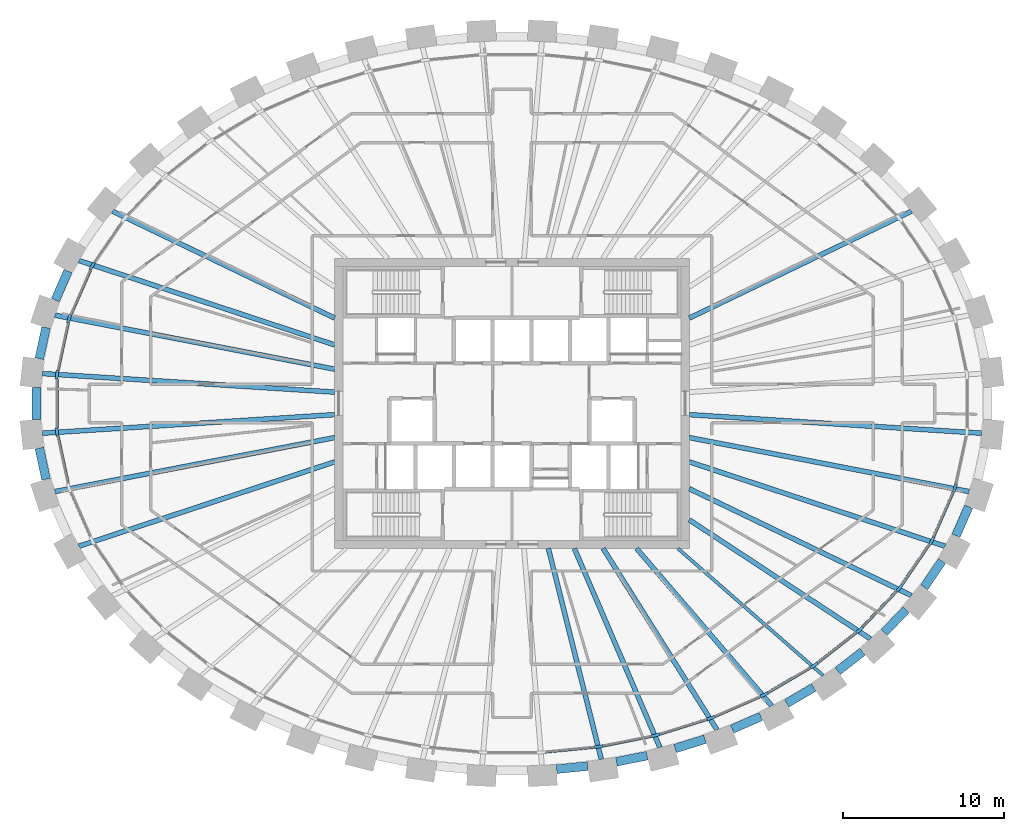
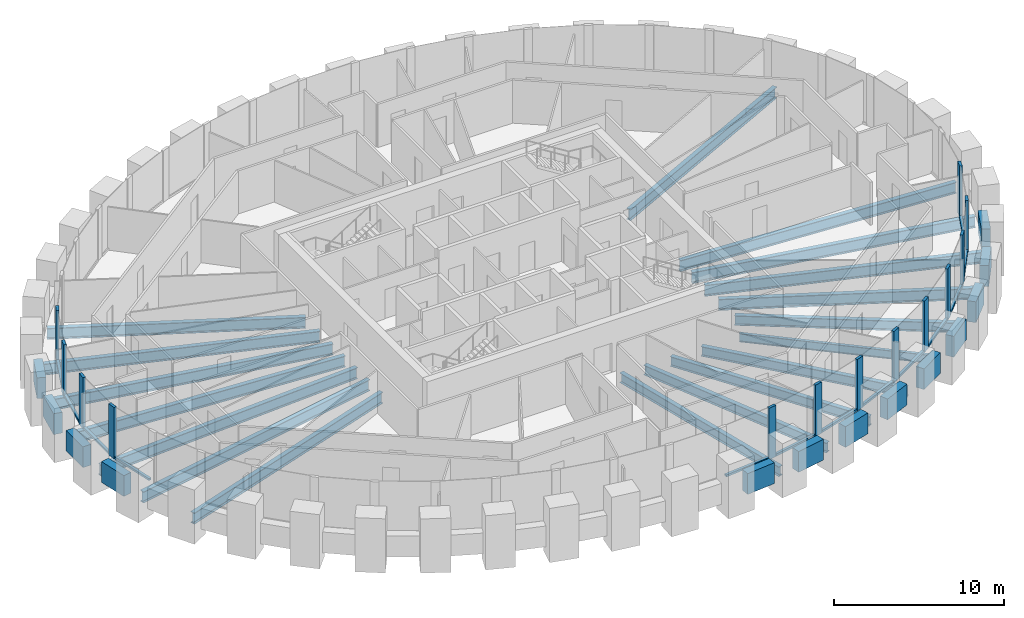
# One storey, part 2 of 12: 31 beams, 26 members, 1 element without a shape of its own.
"""IFC4 building model written with IfcOpenShell, lengths in metres."""

import ifcopenshell
import ifcopenshell.guid

model = None  # the IFC model being written
_history = None  # IfcOwnerHistory: only IFC2X3 demands one
_inside = {}  # id of a spatial element -> (the spatial element, [elements in it])
_under = {}  # id of a project, library or spatial element -> (it, [spatial elements below it])
_declared = {}  # id of a project -> (the project, [libraries it declares])
_typed = {}  # id of a type object -> (the type object, [elements of that type])
_made_of = {}  # id of a material, layer set ... -> (it, [elements and type objects made of it])


def new_model(schema):
    """Start an empty IFC model of exactly this schema.

    Asked for "IFC4X3", IfcOpenShell would pick the latest addendum, in which some entities
    have other attributes; the version numbers below select the first issue.
    IFC2X3 requires an IfcOwnerHistory on every rooted entity: one is made here for all.
    """
    global model, _history
    if schema == "IFC4X3":
        model = ifcopenshell.file(schema_version=(4, 3, 0, 0))
    else:
        model = ifcopenshell.file(schema=schema)
    _inside.clear()
    _under.clear()
    _declared.clear()
    _typed.clear()
    _made_of.clear()
    _history = None
    if model.schema == "IFC2X3":
        org = make("IfcOrganization", Name="unknown")
        user = make(
            "IfcPersonAndOrganization",
            ThePerson=make("IfcPerson", FamilyName="unknown"),
            TheOrganization=org,
        )
        app = make(
            "IfcApplication",
            ApplicationDeveloper=org,
            Version="unknown",
            ApplicationFullName="unknown",
            ApplicationIdentifier="unknown",
        )
        _history = make(
            "IfcOwnerHistory",
            OwningUser=user,
            OwningApplication=app,
            ChangeAction="ADDED",
            CreationDate=0,
        )
    return model


def make(cls, **values):
    """One entity of the class cls with the attributes given. An attribute that is None is left unset."""
    return model.create_entity(
        cls, **{name: value for name, value in values.items() if value is not None}
    )


def rooted(cls, **values):
    """An entity with a GlobalId (a new one), such as an element, a storey or a relation."""
    return make(cls, GlobalId=ifcopenshell.guid.new(), OwnerHistory=_history, **values)


def si_unit(unit_type, name, prefix=None):
    """IfcSIUnit, for example si_unit("LENGTHUNIT", "METRE", prefix="MILLI")."""
    return make("IfcSIUnit", UnitType=unit_type, Prefix=prefix, Name=name)


def assignment(units):
    """IfcUnitAssignment: the units of a project."""
    return None if units is None else make("IfcUnitAssignment", Units=units)


def point(xyz):
    """IfcCartesianPoint."""
    return None if xyz is None else make("IfcCartesianPoint", Coordinates=xyz)


def direction(xyz):
    """IfcDirection."""
    return None if xyz is None else make("IfcDirection", DirectionRatios=xyz)


def frame(location, z_axis=None, x_axis=None):
    """IfcAxis2Placement3D, a coordinate frame: its origin and axes. An axis left out is left unset."""
    return make(
        "IfcAxis2Placement3D",
        Location=point(location),
        Axis=direction(z_axis),
        RefDirection=direction(x_axis),
    )


def frame_2d(location, x_axis=None):
    """IfcAxis2Placement2D, a coordinate frame in the plane: its origin and x axis."""
    return make(
        "IfcAxis2Placement2D", Location=point(location), RefDirection=direction(x_axis)
    )


def origin():
    """The frame at (0, 0, 0) with its axes left unset."""
    return frame((0.0, 0.0, 0.0))


def origin_2d():
    """The frame at (0, 0) in the plane with its x axis left unset."""
    return frame_2d((0.0, 0.0))


def place(relative_to, where):
    """IfcLocalPlacement: puts the frame where relative to a parent placement (None: the world)."""
    return make(
        "IfcLocalPlacement", PlacementRelTo=relative_to, RelativePlacement=where
    )


def context(
    kind, dimensions, precision=None, world=None, true_north=None, identifier=None
):
    """IfcGeometricRepresentationContext, for example the 3D "Model" context."""
    return make(
        "IfcGeometricRepresentationContext",
        ContextIdentifier=identifier,
        ContextType=kind,
        CoordinateSpaceDimension=dimensions,
        Precision=precision,
        WorldCoordinateSystem=world,
        TrueNorth=true_north,
    )


def subcontext(parent, identifier, kind, view, scale=None):
    """IfcGeometricRepresentationSubContext, for example "Body" below "Model"."""
    return make(
        "IfcGeometricRepresentationSubContext",
        ContextIdentifier=identifier,
        ContextType=kind,
        ParentContext=parent,
        TargetScale=scale,
        TargetView=view,
    )


def project(units=None, contexts=None):
    """IfcProject with its units and contexts."""
    return rooted(
        "IfcProject",
        Name="project",
        RepresentationContexts=contexts,
        UnitsInContext=assignment(units),
    )


def spatial(cls, under=None, at=None, **own):
    """A site, building, storey or space (cls), placed at a placement, below another one or the project."""
    s = rooted(cls, ObjectPlacement=at, **own)
    if under is not None:
        _under.setdefault(under.id(), (under, []))[1].append(s)
    return s


def profile(cls, at=None, kind="AREA", **sizes):
    """A parametric profile (cls). Its sizes go by their IFC names, for example OverallWidth=200.0."""
    return make(cls, ProfileType=kind, Position=at, **sizes)


def rectangle(**sizes):
    """IfcRectangleProfileDef."""
    return profile("IfcRectangleProfileDef", **sizes)


def i_section(**sizes):
    """IfcIShapeProfileDef."""
    return profile("IfcIShapeProfileDef", **sizes)


def extrude(swept, where, along, depth):
    """IfcExtrudedAreaSolid: the profile swept, set in the frame where, extruded along a direction by depth."""
    return make(
        "IfcExtrudedAreaSolid",
        SweptArea=swept,
        Position=where,
        ExtrudedDirection=direction(along),
        Depth=depth,
    )


def shape(context_of_items, identifier, shape_type, items):
    """IfcShapeRepresentation: the items that make up one representation, for example the "Body"."""
    return make(
        "IfcShapeRepresentation",
        ContextOfItems=context_of_items,
        RepresentationIdentifier=identifier,
        RepresentationType=shape_type,
        Items=items,
    )


def source(mapping_origin, context_of_items, identifier, shape_type, items):
    """IfcRepresentationMap: a shape defined once, which mapped items show again and again."""
    return make(
        "IfcRepresentationMap",
        MappingOrigin=mapping_origin,
        MappedRepresentation=shape(context_of_items, identifier, shape_type, items),
    )


def transform(
    local_origin,
    x_axis=None,
    y_axis=None,
    z_axis=None,
    scale=None,
    scale2=None,
    scale3=None,
    uniform=True,
):
    """IfcCartesianTransformationOperator3D, or its non-uniform kind. x_axis, y_axis, z_axis: its Axis1, 2, 3."""
    if uniform:
        return make(
            "IfcCartesianTransformationOperator3D",
            Axis1=direction(x_axis),
            Axis2=direction(y_axis),
            LocalOrigin=point(local_origin),
            Scale=scale,
            Axis3=direction(z_axis),
        )
    return make(
        "IfcCartesianTransformationOperator3DnonUniform",
        Axis1=direction(x_axis),
        Axis2=direction(y_axis),
        LocalOrigin=point(local_origin),
        Scale=scale,
        Axis3=direction(z_axis),
        Scale2=scale2,
        Scale3=scale3,
    )


def mapped(mapping_source, mapping_target):
    """IfcMappedItem: shows the shape of a source again, moved by a transform."""
    return make(
        "IfcMappedItem", MappingSource=mapping_source, MappingTarget=mapping_target
    )


def material(Name=None, Category=None):
    """IfcMaterial."""
    return make("IfcMaterial", Name=Name, Category=Category)


def material_profile(
    of_material, cross_section, Name=None, Category=None, Priority=None
):
    """IfcMaterialProfile: a cross section and its material."""
    return make(
        "IfcMaterialProfile",
        Name=Name,
        Material=of_material,
        Profile=cross_section,
        Priority=Priority,
        Category=Category,
    )


def profile_set(profiles, Name=None, composite=None):
    """IfcMaterialProfileSet."""
    return make(
        "IfcMaterialProfileSet",
        Name=Name,
        MaterialProfiles=profiles,
        CompositeProfile=composite,
    )


def made_of(thing, what):
    """Note that an element or type object is made of a material, layer set ...; save() writes the relation."""
    if what is not None:
        _made_of.setdefault(what.id(), (what, []))[1].append(thing)
    return thing


def type_object(cls, material=None, **own):
    """A type object (cls), such as IfcWallType, which elements share."""
    return made_of(rooted(cls, **own), material)


def element(
    cls,
    number,
    at=None,
    inside=None,
    cuts=None,
    type_object=None,
    material=None,
    context=None,
    identifier="Body",
    shape_type=None,
    held_by="IfcProductDefinitionShape",
    body=None,
    shapes=None,
    **own,
):
    """One element of the class cls, such as IfcWall. Its Tag is "e" and its number.

    at: its placement. inside: the storey or other place that contains it. cuts: it is an
    opening in that element (IfcRelVoidsElement). A single representation is given by context,
    identifier, shape_type and body (its items); several are given by shapes. held_by: the class
    of the entity that holds the representations. save() writes the other relations.
    """
    e = rooted(cls, Tag="e%d" % number, ObjectPlacement=at, **own)
    if body is not None:
        shapes = [shape(context, identifier, shape_type, body)]
    if shapes is not None:
        e.Representation = make(held_by, Representations=shapes)
    if inside is not None:
        _inside.setdefault(inside.id(), (inside, []))[1].append(e)
    if cuts is not None:
        rooted(
            "IfcRelVoidsElement", RelatingBuildingElement=cuts, RelatedOpeningElement=e
        )
    if type_object is not None:
        _typed.setdefault(type_object.id(), (type_object, []))[1].append(e)
    return made_of(e, material)


def aggregate(whole, parts):
    """IfcRelAggregates: a whole, such as a stair, and the parts it consists of."""
    return rooted("IfcRelAggregates", RelatingObject=whole, RelatedObjects=parts)


def save(model, path):
    """Write the relations noted so far, then the file.

    IfcRelAggregates (storeys below a building ...), IfcRelContainedInSpatialStructure (elements
    in a storey), IfcRelDefinesByType, IfcRelAssociatesMaterial and IfcRelDeclares: one each for
    every whole, place, type object, material and project.
    """
    for whole, parts in _under.values():
        aggregate(whole, parts)
    for where, things in _inside.values():
        rooted(
            "IfcRelContainedInSpatialStructure",
            RelatedElements=things,
            RelatingStructure=where,
        )
    for kind, things in _typed.values():
        rooted("IfcRelDefinesByType", RelatedObjects=things, RelatingType=kind)
    for what, things in _made_of.values():
        rooted("IfcRelAssociatesMaterial", RelatedObjects=things, RelatingMaterial=what)
    for by, libraries in _declared.values():
        rooted("IfcRelDeclares", RelatingContext=by, RelatedDefinitions=libraries)
    model.write(path)


model = new_model("IFC4")

# Units and contexts
model_context = context("Model", 3, precision=1e-05, world=origin(), true_north=direction((0.0, 1.0)))
body_context = subcontext(model_context, "Body", "Model", "MODEL_VIEW")
ifc_project = project(units=[si_unit("LENGTHUNIT", "METRE"), si_unit("AREAUNIT", "SQUARE_METRE"), si_unit("VOLUMEUNIT", "CUBIC_METRE"), si_unit("PLANEANGLEUNIT", "RADIAN"), si_unit("MASSUNIT", "GRAM", prefix="KILO")], contexts=[model_context])

# Site, building, storey
site_placement = place(None, origin())
site = spatial("IfcSite", under=ifc_project, at=site_placement, CompositionType="ELEMENT")
building_placement = place(site_placement, origin())
building = spatial("IfcBuilding", under=site, at=building_placement, Name="Embergate Tower", CompositionType="ELEMENT")
storey_placement = place(building_placement, frame((0.0, 0.0, 320.800048828125)))
storey = spatial("IfcBuildingStorey", under=building, at=storey_placement, Name="L75", CompositionType="ELEMENT", Elevation=320.800048828125)

# Beams
ifc_material_1 = material(Name="Concrete C50", Category="concrete")
ifc_material_profile_1 = material_profile(ifc_material_1, rectangle(XDim=0.550048828125, YDim=1.5, at=origin_2d()), Name="RC 550x1500")
ifc_profile_set_1 = profile_set([ifc_material_profile_1], Name="Concrete C50")
beam_type_1 = type_object("IfcBeamType", Name="Spandrel beam RC 550x1500 C50", PredefinedType="BEAM", material=ifc_profile_set_1)
shared_shape_1 = source(origin(), body_context, "Body", "SweptSolid", [
    extrude(rectangle(XDim=0.550048828125, YDim=1.5, at=origin_2d()), origin(), (0.0, 0.0, 1.0), 1.970947265625),
])
for number, where, z_axis, x_axis, name in (
    (1, (-28.908935546875, 4.702880859375, 0.0), (-0.210078905476, -0.977684434505, 0.0), (0.977684434505, -0.210078905476, 0.0), "SPN-L75-20"),
    (2, (-29.322998046875, -2.77587890625, 0.0), (0.210078905476, -0.977684434505, 0.0), (0.977684434505, 0.210078905476, 0.0), "SPN-L75-22"),
):
    element("IfcBeam", number, at=place(storey_placement, frame(where, z_axis=z_axis, x_axis=x_axis)), inside=storey, type_object=beam_type_1, Name=name, PredefinedType="BEAM", context=body_context, shape_type="MappedRepresentation", body=[
        mapped(shared_shape_1, transform((0.0, 0.0, 0.0))),
    ])
shared_shape_2 = source(origin(), body_context, "Body", "SweptSolid", [
    extrude(rectangle(XDim=0.550048828125, YDim=1.5, at=origin_2d()), origin(), (0.0, 0.0, 1.0), 1.96435546875),
])
for number, where, z_axis, x_axis, name in (
    (3, (-27.547119140625, 8.2080078125, 0.0), (-0.401555432353, -0.915834720213, 0.0), (0.915834720213, -0.401555432353, 0.0), "SPN-L75-19"),
    (4, (27.547119140625, -8.2080078125, 0.0), (0.401555432353, 0.915834720213, 0.0), (-0.915834720213, 0.401555432353, 0.0), "SPN-L75-41"),
):
    element("IfcBeam", number, at=place(storey_placement, frame(where, z_axis=z_axis, x_axis=x_axis)), inside=storey, type_object=beam_type_1, Name=name, PredefinedType="BEAM", context=body_context, shape_type="MappedRepresentation", body=[
        mapped(shared_shape_2, transform((0.0, 0.0, 0.0))),
    ])
shared_shape_3 = source(origin(), body_context, "Body", "SweptSolid", [
    extrude(rectangle(XDim=0.550048828125, YDim=1.5, at=origin_2d()), origin(), (0.0, 0.0, 1.0), 1.960205078125),
])
beam_1_placement = place(storey_placement, frame((25.573974609375, -11.404052734375, 0.0), z_axis=(0.562207817231, 0.826995991674, 0.0), x_axis=(-0.826995991674, 0.562207817231, 0.0)))
element("IfcBeam", 5, at=beam_1_placement, inside=storey, type_object=beam_type_1, Name="SPN-L75-40", PredefinedType="BEAM", context=body_context, shape_type="MappedRepresentation", body=[
    mapped(shared_shape_3, transform((0.0, 0.0, 0.0))),
])
shared_shape_4 = source(origin(), body_context, "Body", "SweptSolid", [
    extrude(rectangle(XDim=0.550048828125, YDim=1.5, at=origin_2d()), origin(), (0.0, 0.0, 1.0), 1.955078125),
])
beam_2_placement = place(storey_placement, frame((23.093017578125, -14.218017578125, 0.0), z_axis=(0.690558902138, 0.723276159346, 0.0), x_axis=(-0.723276159346, 0.690558902138, 0.0)))
element("IfcBeam", 6, at=beam_2_placement, inside=storey, type_object=beam_type_1, Name="SPN-L75-39", PredefinedType="BEAM", context=body_context, shape_type="MappedRepresentation", body=[
    mapped(shared_shape_4, transform((0.0, 0.0, 0.0))),
])
shared_shape_5 = source(origin(), body_context, "Body", "SweptSolid", [
    extrude(rectangle(XDim=0.550048828125, YDim=1.5, at=origin_2d()), origin(), (0.0, 0.0, 1.0), 1.94873046875),
])
beam_3_placement = place(storey_placement, frame((20.2099609375, -16.611083984375, 0.0), z_axis=(0.78830540841, 0.615284148236, 0.0), x_axis=(-0.615284148236, 0.78830540841, 0.0)))
element("IfcBeam", 7, at=beam_3_placement, inside=storey, type_object=beam_type_1, Name="SPN-L75-38", PredefinedType="BEAM", context=body_context, shape_type="MappedRepresentation", body=[
    mapped(shared_shape_5, transform((0.0, 0.0, 0.0))),
])
shared_shape_6 = source(origin(), body_context, "Body", "SweptSolid", [
    extrude(rectangle(XDim=0.550048828125, YDim=1.5, at=origin_2d()), origin(), (0.0, 0.0, 1.0), 1.944580078125),
])
beam_4_placement = place(storey_placement, frame((17.044921875, -18.60888671875, 0.0), z_axis=(0.861947125599, 0.506998178174, 0.0), x_axis=(-0.506998178174, 0.861947125599, 0.0)))
element("IfcBeam", 8, at=beam_4_placement, inside=storey, type_object=beam_type_1, Name="SPN-L75-37", PredefinedType="BEAM", context=body_context, shape_type="MappedRepresentation", body=[
    mapped(shared_shape_6, transform((0.0, 0.0, 0.0))),
])
shared_shape_7 = source(origin(), body_context, "Body", "SweptSolid", [
    extrude(rectangle(XDim=0.550048828125, YDim=1.5, at=origin_2d()), origin(), (0.0, 0.0, 1.0), 1.943603515625),
])
beam_5_placement = place(storey_placement, frame((13.660888671875, -20.205078125, 0.0), z_axis=(0.916367666651, 0.400337731818, 0.0), x_axis=(-0.400337731818, 0.916367666651, 0.0)))
element("IfcBeam", 9, at=beam_5_placement, inside=storey, type_object=beam_type_1, Name="SPN-L75-36", PredefinedType="BEAM", context=body_context, shape_type="MappedRepresentation", body=[
    mapped(shared_shape_7, transform((0.0, 0.0, 0.0))),
])
shared_shape_8 = source(origin(), body_context, "Body", "SweptSolid", [
    extrude(rectangle(XDim=0.550048828125, YDim=1.5, at=origin_2d()), origin(), (0.0, 0.0, 1.0), 1.940673828125),
])
beam_6_placement = place(storey_placement, frame((10.1220703125, -21.410888671875, 0.0), z_axis=(0.954797285525, 0.297257705625, 0.0), x_axis=(-0.297257705625, 0.954797285525, 0.0)))
element("IfcBeam", 10, at=beam_6_placement, inside=storey, type_object=beam_type_1, Name="SPN-L75-35", PredefinedType="BEAM", context=body_context, shape_type="MappedRepresentation", body=[
    mapped(shared_shape_8, transform((0.0, 0.0, 0.0))),
])
shared_shape_9 = source(origin(), body_context, "Body", "SweptSolid", [
    extrude(rectangle(XDim=0.550048828125, YDim=1.5, at=origin_2d()), origin(), (0.0, 0.0, 1.0), 1.93994140625),
])
beam_7_placement = place(storey_placement, frame((6.47607421875, -22.238037109375, 0.0), z_axis=(0.980410889527, 0.1969631633, 0.0), x_axis=(-0.1969631633, 0.980410889527, 0.0)))
element("IfcBeam", 11, at=beam_7_placement, inside=storey, type_object=beam_type_1, Name="SPN-L75-34", PredefinedType="BEAM", context=body_context, shape_type="MappedRepresentation", body=[
    mapped(shared_shape_9, transform((0.0, 0.0, 0.0))),
])
shared_shape_10 = source(origin(), body_context, "Body", "SweptSolid", [
    extrude(rectangle(XDim=0.550048828125, YDim=1.5, at=origin_2d()), origin(), (0.0, 0.0, 1.0), 1.938232421875),
])
beam_8_placement = place(storey_placement, frame((2.76708984375, -22.693115234375, 0.0), z_axis=(0.995174653714, 0.098119358973, 0.0), x_axis=(-0.098119358973, 0.995174653714, 0.0)))
element("IfcBeam", 12, at=beam_8_placement, inside=storey, type_object=beam_type_1, Name="SPN-L75-33", PredefinedType="BEAM", context=body_context, shape_type="MappedRepresentation", body=[
    mapped(shared_shape_10, transform((0.0, 0.0, 0.0))),
])
shared_shape_11 = source(origin(), body_context, "Body", "SweptSolid", [
    extrude(rectangle(XDim=0.550048828125, YDim=1.5, at=origin_2d()), origin(), (0.0, 0.0, 1.0), 1.97216796875),
])
beam_9_placement = place(storey_placement, frame((-29.513916015625, 0.986083984375, 0.0), z_axis=(0.0, -1.0, 0.0), x_axis=(1.0, 0.0, 0.0)))
element("IfcBeam", 13, at=beam_9_placement, inside=storey, type_object=beam_type_1, Name="SPN-L75-21", PredefinedType="BEAM", context=body_context, shape_type="MappedRepresentation", body=[
    mapped(shared_shape_11, transform((0.0, 0.0, 0.0))),
])
ifc_material_2 = material(Name="Steel Q355B", Category="steel")
ifc_material_profile_2 = material_profile(ifc_material_2, i_section(OverallWidth=0.300048828125, OverallDepth=0.800048828125, WebThickness=0.013916015625, FlangeThickness=0.02587890625, FilletRadius=0.028076171875, at=origin_2d()), Name="HN 800x300x14x26")
ifc_profile_set_2 = profile_set([ifc_material_profile_2], Name="Steel Q355 grade B")
beam_type_2 = type_object("IfcBeamType", Name="Radial girder HN 800x300x14x26", PredefinedType="BEAM", material=ifc_profile_set_2)
shared_shape_12 = source(origin(), body_context, "Body", "SweptSolid", [
    extrude(i_section(OverallWidth=0.300048828125, OverallDepth=0.800048828125, WebThickness=0.013916015625, FlangeThickness=0.02587890625, FilletRadius=0.028076171875, at=origin_2d()), origin(), (0.0, 0.0, 1.0), 18.175537109375),
])
for number, where, z_axis, x_axis, name in (
    (14, (-29.138916015625, 1.85107421875, -0.60009765625), (0.997988982715, -0.063387620085, 0.0), (0.063387620085, 0.997988982715, 0.0), "GIR-L75-21"),
    (15, (-29.138916015625, -1.85107421875, -0.60009765625), (0.997988982715, 0.063387620085, 0.0), (-0.063387620085, 0.997988982715, 0.0), "GIR-L75-22"),
    (16, (29.138916015625, -1.85107421875, -0.60009765625), (-0.997988982715, 0.063387620085, 0.0), (-0.063387620085, -0.997988982715, 0.0), "GIR-L75-43"),
):
    element("IfcBeam", number, at=place(storey_placement, frame(where, z_axis=z_axis, x_axis=x_axis)), inside=storey, type_object=beam_type_2, Name=name, PredefinedType="BEAM", context=body_context, shape_type="MappedRepresentation", body=[
        mapped(shared_shape_12, transform((0.0, 0.0, 0.0))),
    ])
shared_shape_13 = source(origin(), body_context, "Body", "SweptSolid", [
    extrude(i_section(OverallWidth=0.300048828125, OverallDepth=0.800048828125, WebThickness=0.013916015625, FlangeThickness=0.02587890625, FilletRadius=0.028076171875, at=origin_2d()), origin(), (0.0, 0.0, 1.0), 17.68017578125),
])
for number, where, z_axis, x_axis, name in (
    (17, (-28.360107421875, 5.470947265625, -0.60009765625), (0.981897251482, -0.189414327683, 0.0), (0.189414327683, 0.981897251482, 0.0), "GIR-L75-20"),
    (18, (-28.360107421875, -5.470947265625, -0.60009765625), (0.981897251482, 0.189414327683, 0.0), (-0.189414327683, 0.981897251482, 0.0), "GIR-L75-23"),
    (19, (28.360107421875, -5.470947265625, -0.60009765625), (-0.981897251482, 0.189414327683, 0.0), (-0.189414327683, -0.981897251482, 0.0), "GIR-L75-42"),
):
    element("IfcBeam", number, at=place(storey_placement, frame(where, z_axis=z_axis, x_axis=x_axis)), inside=storey, type_object=beam_type_2, Name=name, PredefinedType="BEAM", context=body_context, shape_type="MappedRepresentation", body=[
        mapped(shared_shape_13, transform((0.0, 0.0, 0.0))),
    ])
shared_shape_14 = source(origin(), body_context, "Body", "SweptSolid", [
    extrude(i_section(OverallWidth=0.300048828125, OverallDepth=0.800048828125, WebThickness=0.013916015625, FlangeThickness=0.02587890625, FilletRadius=0.028076171875, at=origin_2d()), origin(), (0.0, 0.0, 1.0), 16.713134765625),
])
for number, where, z_axis, x_axis, name in (
    (20, (-26.8720703125, 8.863037109375, -0.60009765625), (0.949676282781, -0.313233072843, 0.0), (0.313233072843, 0.949676282781, 0.0), "GIR-L75-19"),
    (21, (-26.8720703125, -8.863037109375, -0.60009765625), (0.949676282781, 0.313233072843, 0.0), (-0.313233072843, 0.949676282781, 0.0), "GIR-L75-24"),
    (22, (26.8720703125, -8.863037109375, -0.60009765625), (-0.949676282781, 0.313233072843, 0.0), (-0.313233072843, -0.949676282781, 0.0), "GIR-L75-41"),
):
    element("IfcBeam", number, at=place(storey_placement, frame(where, z_axis=z_axis, x_axis=x_axis)), inside=storey, type_object=beam_type_2, Name=name, PredefinedType="BEAM", context=body_context, shape_type="MappedRepresentation", body=[
        mapped(shared_shape_14, transform((0.0, 0.0, 0.0))),
    ])
shared_shape_15 = source(origin(), body_context, "Body", "SweptSolid", [
    extrude(i_section(OverallWidth=0.300048828125, OverallDepth=0.800048828125, WebThickness=0.013916015625, FlangeThickness=0.02587890625, FilletRadius=0.028076171875, at=origin_2d()), origin(), (0.0, 0.0, 1.0), 15.302734375),
])
for number, where, z_axis, x_axis, name in (
    (23, (24.7900390625, 11.926025390625, -0.60009765625), (-0.901145046511, -0.433517710305, 0.0), (0.433517710305, -0.901145046511, 0.0), "GIR-L75-03"),
    (24, (-24.7900390625, 11.926025390625, -0.60009765625), (0.901145046511, -0.433517710305, 0.0), (0.433517710305, 0.901145046511, 0.0), "GIR-L75-18"),
    (25, (24.7900390625, -11.926025390625, -0.60009765625), (-0.901145046511, 0.433517710305, 0.0), (-0.433517710305, -0.901145046511, 0.0), "GIR-L75-40"),
):
    element("IfcBeam", number, at=place(storey_placement, frame(where, z_axis=z_axis, x_axis=x_axis)), inside=storey, type_object=beam_type_2, Name=name, PredefinedType="BEAM", context=body_context, shape_type="MappedRepresentation", body=[
        mapped(shared_shape_15, transform((0.0, 0.0, 0.0))),
    ])
ifc_material_profile_3 = material_profile(ifc_material_2, i_section(OverallWidth=0.300048828125, OverallDepth=0.699951171875, WebThickness=0.012939453125, FlangeThickness=0.02392578125, FilletRadius=0.01806640625, at=origin_2d()), Name="HN 700x300x13x24")
ifc_profile_set_3 = profile_set([ifc_material_profile_3], Name="Steel Q355 grade B")
beam_type_3 = type_object("IfcBeamType", Name="Radial girder HN 700x300x13x24", PredefinedType="BEAM", material=ifc_profile_set_3)
shared_shape_16 = source(origin(), body_context, "Body", "SweptSolid", [
    extrude(i_section(OverallWidth=0.300048828125, OverallDepth=0.699951171875, WebThickness=0.012939453125, FlangeThickness=0.02392578125, FilletRadius=0.01806640625, at=origin_2d()), origin(), (0.0, 0.0, 1.0), 13.439453125),
])
beam_10_placement = place(storey_placement, frame((22.23193359375, -14.60693359375, -0.550048828125), z_axis=(-0.835743114623, 0.549120611851, 0.0), x_axis=(-0.549120611851, -0.835743114623, 0.0)))
element("IfcBeam", 26, at=beam_10_placement, inside=storey, type_object=beam_type_3, Name="GIR-L75-39", PredefinedType="BEAM", context=body_context, shape_type="MappedRepresentation", body=[
    mapped(shared_shape_16, transform((0.0, 0.0, 0.0))),
])
ifc_material_profile_4 = material_profile(ifc_material_2, i_section(OverallWidth=0.199951171875, OverallDepth=0.60009765625, WebThickness=0.010986328125, FlangeThickness=0.01708984375, FilletRadius=0.012939453125, at=origin_2d()), Name="HN 600x200x11x17")
ifc_profile_set_4 = profile_set([ifc_material_profile_4], Name="Steel Q355 grade B")
beam_type_4 = type_object("IfcBeamType", Name="Radial girder HN 600x200x11x17", PredefinedType="BEAM", material=ifc_profile_set_4)
shared_shape_17 = source(origin(), body_context, "Body", "SweptSolid", [
    extrude(i_section(OverallWidth=0.199951171875, OverallDepth=0.60009765625, WebThickness=0.010986328125, FlangeThickness=0.01708984375, FilletRadius=0.012939453125, at=origin_2d()), origin(), (0.0, 0.0, 1.0), 11.982421875),
])
beam_11_placement = place(storey_placement, frame((19.31103515625, -16.887939453125, -0.5), z_axis=(-0.752765986621, 0.65828821149, 0.0), x_axis=(-0.65828821149, -0.752765986621, 0.0)))
element("IfcBeam", 27, at=beam_11_placement, inside=storey, type_object=beam_type_4, Name="GIR-L75-38", PredefinedType="BEAM", context=body_context, shape_type="MappedRepresentation", body=[
    mapped(shared_shape_17, transform((0.0, 0.0, 0.0))),
])
shared_shape_18 = source(origin(), body_context, "Body", "SweptSolid", [
    extrude(i_section(OverallWidth=0.300048828125, OverallDepth=0.699951171875, WebThickness=0.012939453125, FlangeThickness=0.02392578125, FilletRadius=0.01806640625, at=origin_2d()), origin(), (0.0, 0.0, 1.0), 12.873779296875),
])
beam_12_placement = place(storey_placement, frame((16.115966796875, -18.76708984375, -0.550048828125), z_axis=(-0.65147047054, 0.758673991919, 0.0), x_axis=(-0.758673991919, -0.65147047054, 0.0)))
element("IfcBeam", 28, at=beam_12_placement, inside=storey, type_object=beam_type_3, Name="GIR-L75-37", PredefinedType="BEAM", context=body_context, shape_type="MappedRepresentation", body=[
    mapped(shared_shape_18, transform((0.0, 0.0, 0.0))),
])
shared_shape_19 = source(origin(), body_context, "Body", "SweptSolid", [
    extrude(i_section(OverallWidth=0.300048828125, OverallDepth=0.699951171875, WebThickness=0.012939453125, FlangeThickness=0.02392578125, FilletRadius=0.01806640625, at=origin_2d()), origin(), (0.0, 0.0, 1.0), 13.287109375),
])
beam_13_placement = place(storey_placement, frame((12.718994140625, -20.251953125, -0.550048828125), z_axis=(-0.531860684771, 0.846831867607, 0.0), x_axis=(-0.846831867607, -0.531860684771, 0.0)))
element("IfcBeam", 29, at=beam_13_placement, inside=storey, type_object=beam_type_3, Name="GIR-L75-36", PredefinedType="BEAM", context=body_context, shape_type="MappedRepresentation", body=[
    mapped(shared_shape_19, transform((0.0, 0.0, 0.0))),
])
shared_shape_20 = source(origin(), body_context, "Body", "SweptSolid", [
    extrude(i_section(OverallWidth=0.300048828125, OverallDepth=0.699951171875, WebThickness=0.012939453125, FlangeThickness=0.02392578125, FilletRadius=0.01806640625, at=origin_2d()), origin(), (0.0, 0.0, 1.0), 13.44677734375),
])
beam_14_placement = place(storey_placement, frame((9.178955078125, -21.35400390625, -0.550048828125), z_axis=(-0.39489198658, 0.918727554248, 0.0), x_axis=(-0.918727554248, -0.39489198658, 0.0)))
element("IfcBeam", 30, at=beam_14_placement, inside=storey, type_object=beam_type_3, Name="GIR-L75-35", PredefinedType="BEAM", context=body_context, shape_type="MappedRepresentation", body=[
    mapped(shared_shape_20, transform((0.0, 0.0, 0.0))),
])
shared_shape_21 = source(origin(), body_context, "Body", "SweptSolid", [
    extrude(i_section(OverallWidth=0.300048828125, OverallDepth=0.699951171875, WebThickness=0.012939453125, FlangeThickness=0.02392578125, FilletRadius=0.01806640625, at=origin_2d()), origin(), (0.0, 0.0, 1.0), 13.48876953125),
])
beam_15_placement = place(storey_placement, frame((5.54296875, -22.0830078125, -0.550048828125), z_axis=(-0.243455392771, 0.969912094847, 0.0), x_axis=(-0.969912094847, -0.243455392771, 0.0)))
element("IfcBeam", 31, at=beam_15_placement, inside=storey, type_object=beam_type_3, Name="GIR-L75-34", PredefinedType="BEAM", context=body_context, shape_type="MappedRepresentation", body=[
    mapped(shared_shape_21, transform((0.0, 0.0, 0.0))),
])

# Curtain wall, members
ifc_material_3 = material(Name="Aluminium and glass", Category="aluminium")
curtain_wall_type = type_object("IfcCurtainWallType", Name="Recessed office glazing", PredefinedType="NOTDEFINED", material=ifc_material_3)
curtain_wall_placement = place(storey_placement, origin())
curtain_wall = element("IfcCurtainWall", 32, at=curtain_wall_placement, inside=storey, type_object=curtain_wall_type, Name="Recessed office glazing ring", ObjectType="RECESSED OFFICE GLAZING", PredefinedType="USERDEFINED")
ifc_material_4 = material(Name="Aluminium, thermally broken", Category="aluminium")
ifc_material_profile_5 = material_profile(ifc_material_4, rectangle(XDim=0.179931640625, YDim=0.52001953125, at=origin_2d()), Name="AL 520x180")
ifc_profile_set_5 = profile_set([ifc_material_profile_5], Name="Aluminium, thermally broken")
member_type_1 = type_object("IfcMemberType", Name="Office mullion", PredefinedType="MULLION", material=ifc_profile_set_5)
shared_shape_22 = source(origin(), body_context, "Body", "SweptSolid", [
    extrude(rectangle(XDim=0.179931640625, YDim=0.52001953125, at=origin_2d()), origin(), (0.0, 0.0, 1.0), 3.699951171875),
])
member_1_placement = place(storey_placement, frame((-26.05029296875, 8.513671875, 0.0), z_axis=(0.0, 0.0, 1.0), x_axis=(0.874990911284, -0.484139344787, 0.0)))
member_1 = element("IfcMember", 33, at=member_1_placement, type_object=member_type_1, Name="CW mullion 20", PredefinedType="MULLION", context=body_context, shape_type="MappedRepresentation", body=[
    mapped(shared_shape_22, transform((0.0, 0.0, 0.0))),
])
member_2_placement = place(storey_placement, frame((-27.480712890625, 5.251708984375, 0.0), z_axis=(0.0, 0.0, 1.0), x_axis=(0.951491891254, -0.307673822216, 0.0)))
member_2 = element("IfcMember", 34, at=member_2_placement, type_object=member_type_1, Name="CW mullion 21", PredefinedType="MULLION", context=body_context, shape_type="MappedRepresentation", body=[
    mapped(shared_shape_22, transform((0.0, 0.0, 0.0))),
])
member_3_placement = place(storey_placement, frame((-28.228759765625, 1.7763671875, 0.0), z_axis=(0.0, 0.0, 1.0), x_axis=(0.994384031216, -0.105831934987, 0.0)))
member_3 = element("IfcMember", 35, at=member_3_placement, type_object=member_type_1, Name="CW mullion 22", PredefinedType="MULLION", context=body_context, shape_type="MappedRepresentation", body=[
    mapped(shared_shape_22, transform((0.0, 0.0, 0.0))),
])
member_4_placement = place(storey_placement, frame((-28.228759765625, -1.7763671875, 0.0), z_axis=(0.0, 0.0, 1.0), x_axis=(0.994384031216, 0.105831934987, 0.0)))
member_4 = element("IfcMember", 36, at=member_4_placement, type_object=member_type_1, Name="CW mullion 23", PredefinedType="MULLION", context=body_context, shape_type="MappedRepresentation", body=[
    mapped(shared_shape_22, transform((0.0, 0.0, 0.0))),
])
member_5_placement = place(storey_placement, frame((5.386962890625, -21.301513671875, 0.0), z_axis=(0.0, 0.0, 1.0), x_axis=(-0.147412382818, 0.989075118174, 0.0)))
member_5 = element("IfcMember", 37, at=member_5_placement, type_object=member_type_1, Name="CW mullion 35", PredefinedType="MULLION", context=body_context, shape_type="MappedRepresentation", body=[
    mapped(shared_shape_22, transform((0.0, 0.0, 0.0))),
])
member_6_placement = place(storey_placement, frame((8.918212890625, -20.593505859375, 0.0), z_axis=(0.0, 0.0, 1.0), x_axis=(-0.24731188137, 0.968935928394, 0.0)))
member_6 = element("IfcMember", 38, at=member_6_placement, type_object=member_type_1, Name="CW mullion 36", PredefinedType="MULLION", context=body_context, shape_type="MappedRepresentation", body=[
    mapped(shared_shape_22, transform((0.0, 0.0, 0.0))),
])
member_7_placement = place(storey_placement, frame((12.354736328125, -19.523193359375, 0.0), z_axis=(0.0, 0.0, 1.0), x_axis=(-0.349501047589, 0.936935973124, 0.0)))
member_7 = element("IfcMember", 39, at=member_7_placement, type_object=member_type_1, Name="CW mullion 37", PredefinedType="MULLION", context=body_context, shape_type="MappedRepresentation", body=[
    mapped(shared_shape_22, transform((0.0, 0.0, 0.0))),
])
member_8_placement = place(storey_placement, frame((15.649658203125, -18.08251953125, 0.0), z_axis=(0.0, 0.0, 1.0), x_axis=(-0.454508271251, 0.890742516872, 0.0)))
member_8 = element("IfcMember", 40, at=member_8_placement, type_object=member_type_1, Name="CW mullion 38", PredefinedType="MULLION", context=body_context, shape_type="MappedRepresentation", body=[
    mapped(shared_shape_22, transform((0.0, 0.0, 0.0))),
])
member_9_placement = place(storey_placement, frame((18.745849609375, -16.261962890625, 0.0), z_axis=(0.0, 0.0, 1.0), x_axis=(-0.562210401679, 0.82699423471, 0.0)))
member_9 = element("IfcMember", 41, at=member_9_placement, type_object=member_type_1, Name="CW mullion 39", PredefinedType="MULLION", context=body_context, shape_type="MappedRepresentation", body=[
    mapped(shared_shape_22, transform((0.0, 0.0, 0.0))),
])
member_10_placement = place(storey_placement, frame((21.57275390625, -14.0556640625, 0.0), z_axis=(0.0, 0.0, 1.0), x_axis=(-0.671217477801, 0.741260478843, 0.0)))
member_10 = element("IfcMember", 42, at=member_10_placement, type_object=member_type_1, Name="CW mullion 40", PredefinedType="MULLION", context=body_context, shape_type="MappedRepresentation", body=[
    mapped(shared_shape_22, transform((0.0, 0.0, 0.0))),
])
member_11_placement = place(storey_placement, frame((24.04248046875, -11.4658203125, 0.0), z_axis=(0.0, 0.0, 1.0), x_axis=(-0.777861596203, 0.628435626897, 0.0)))
member_11 = element("IfcMember", 43, at=member_11_placement, type_object=member_type_1, Name="CW mullion 41", PredefinedType="MULLION", context=body_context, shape_type="MappedRepresentation", body=[
    mapped(shared_shape_22, transform((0.0, 0.0, 0.0))),
])
member_12_placement = place(storey_placement, frame((26.05029296875, -8.513671875, 0.0), z_axis=(0.0, 0.0, 1.0), x_axis=(-0.874990911284, 0.484139344787, 0.0)))
member_12 = element("IfcMember", 44, at=member_12_placement, type_object=member_type_1, Name="CW mullion 42", PredefinedType="MULLION", context=body_context, shape_type="MappedRepresentation", body=[
    mapped(shared_shape_22, transform((0.0, 0.0, 0.0))),
])
member_13_placement = place(storey_placement, frame((27.480712890625, -5.251708984375, 0.0), z_axis=(0.0, 0.0, 1.0), x_axis=(-0.951491891254, 0.307673822216, 0.0)))
member_13 = element("IfcMember", 45, at=member_13_placement, type_object=member_type_1, Name="CW mullion 43", PredefinedType="MULLION", context=body_context, shape_type="MappedRepresentation", body=[
    mapped(shared_shape_22, transform((0.0, 0.0, 0.0))),
])
ifc_material_profile_6 = material_profile(ifc_material_4, rectangle(XDim=0.179931640625, YDim=0.14990234375, at=origin_2d()), Name="AL 150x180")
ifc_profile_set_6 = profile_set([ifc_material_profile_6], Name="Aluminium, thermally broken")
member_type_2 = type_object("IfcMemberType", Name="Office sill transom", PredefinedType="USERDEFINED", material=ifc_profile_set_6)
shared_shape_23 = source(origin(), body_context, "Body", "SweptSolid", [
    extrude(rectangle(XDim=0.179931640625, YDim=0.14990234375, at=origin_2d()), origin(), (0.0, 0.0, 1.0), 3.034912109375),
])
member_14_placement = place(storey_placement, frame((-27.535400390625, 4.99755859375, 0.074951171875), z_axis=(-0.210435439113, -0.977607756703, 0.0), x_axis=(0.977607756703, -0.210435439113, 0.0)))
member_14 = element("IfcMember", 46, at=member_14_placement, type_object=member_type_2, Name="CW transom 21.1", ObjectType="TRANSOM", PredefinedType="USERDEFINED", context=body_context, shape_type="MappedRepresentation", body=[
    mapped(shared_shape_23, transform((0.0, 0.0, 0.0))),
])
member_15_placement = place(storey_placement, frame((-28.174072265625, -2.030517578125, 0.074951171875), z_axis=(0.210435439113, -0.977607756703, 0.0), x_axis=(0.977607756703, 0.210435439113, 0.0)))
member_15 = element("IfcMember", 47, at=member_15_placement, type_object=member_type_2, Name="CW transom 23.1", ObjectType="TRANSOM", PredefinedType="USERDEFINED", context=body_context, shape_type="MappedRepresentation", body=[
    mapped(shared_shape_23, transform((0.0, 0.0, 0.0))),
])
shared_shape_24 = source(origin(), body_context, "Body", "SweptSolid", [
    extrude(rectangle(XDim=0.179931640625, YDim=0.14990234375, at=origin_2d()), origin(), (0.0, 0.0, 1.0), 3.04150390625),
])
member_16_placement = place(storey_placement, frame((-26.15478515625, 8.275390625, 0.074951171875), z_axis=(-0.401665038181, -0.915786654797, 0.0), x_axis=(0.915786654797, -0.401665038181, 0.0)))
member_16 = element("IfcMember", 48, at=member_16_placement, type_object=member_type_2, Name="CW transom 20.1", ObjectType="TRANSOM", PredefinedType="USERDEFINED", context=body_context, shape_type="MappedRepresentation", body=[
    mapped(shared_shape_24, transform((0.0, 0.0, 0.0))),
])
member_17_placement = place(storey_placement, frame((26.15478515625, -8.275390625, 0.074951171875), z_axis=(0.401665038181, 0.915786654797, 0.0), x_axis=(-0.915786654797, 0.401665038181, 0.0)))
member_17 = element("IfcMember", 49, at=member_17_placement, type_object=member_type_2, Name="CW transom 42.1", ObjectType="TRANSOM", PredefinedType="USERDEFINED", context=body_context, shape_type="MappedRepresentation", body=[
    mapped(shared_shape_24, transform((0.0, 0.0, 0.0))),
])
shared_shape_25 = source(origin(), body_context, "Body", "SweptSolid", [
    extrude(rectangle(XDim=0.179931640625, YDim=0.14990234375, at=origin_2d()), origin(), (0.0, 0.0, 1.0), 3.050537109375),
])
member_18_placement = place(storey_placement, frame((24.188720703125, -11.2509765625, 0.074951171875), z_axis=(0.562323156119, 0.826917570313, 0.0), x_axis=(-0.826917570313, 0.562323156119, 0.0)))
member_18 = element("IfcMember", 50, at=member_18_placement, type_object=member_type_2, Name="CW transom 41.1", ObjectType="TRANSOM", PredefinedType="USERDEFINED", context=body_context, shape_type="MappedRepresentation", body=[
    mapped(shared_shape_25, transform((0.0, 0.0, 0.0))),
])
shared_shape_26 = source(origin(), body_context, "Body", "SweptSolid", [
    extrude(rectangle(XDim=0.179931640625, YDim=0.14990234375, at=origin_2d()), origin(), (0.0, 0.0, 1.0), 3.05859375),
])
member_19_placement = place(storey_placement, frame((21.752197265625, -13.867431640625, 0.074951171875), z_axis=(0.690145338974, 0.723670789167, 0.0), x_axis=(-0.723670789167, 0.690145338974, 0.0)))
member_19 = element("IfcMember", 51, at=member_19_placement, type_object=member_type_2, Name="CW transom 40.1", ObjectType="TRANSOM", PredefinedType="USERDEFINED", context=body_context, shape_type="MappedRepresentation", body=[
    mapped(shared_shape_26, transform((0.0, 0.0, 0.0))),
])
shared_shape_27 = source(origin(), body_context, "Body", "SweptSolid", [
    extrude(rectangle(XDim=0.179931640625, YDim=0.14990234375, at=origin_2d()), origin(), (0.0, 0.0, 1.0), 3.06591796875),
])
member_20_placement = place(storey_placement, frame((18.950927734375, -16.10205078125, 0.074951171875), z_axis=(0.788347811485, 0.615229817326, 0.0), x_axis=(-0.615229817326, 0.788347811485, 0.0)))
member_20 = element("IfcMember", 52, at=member_20_placement, type_object=member_type_2, Name="CW transom 39.1", ObjectType="TRANSOM", PredefinedType="USERDEFINED", context=body_context, shape_type="MappedRepresentation", body=[
    mapped(shared_shape_27, transform((0.0, 0.0, 0.0))),
])
shared_shape_28 = source(origin(), body_context, "Body", "SweptSolid", [
    extrude(rectangle(XDim=0.179931640625, YDim=0.14990234375, at=origin_2d()), origin(), (0.0, 0.0, 1.0), 3.07177734375),
])
member_21_placement = place(storey_placement, frame((15.873779296875, -17.95068359375, 0.074951171875), z_axis=(0.862038399322, 0.506842971831, 0.0), x_axis=(-0.506842971831, 0.862038399322, 0.0)))
member_21 = element("IfcMember", 53, at=member_21_placement, type_object=member_type_2, Name="CW transom 38.1", ObjectType="TRANSOM", PredefinedType="USERDEFINED", context=body_context, shape_type="MappedRepresentation", body=[
    mapped(shared_shape_28, transform((0.0, 0.0, 0.0))),
])
shared_shape_29 = source(origin(), body_context, "Body", "SweptSolid", [
    extrude(rectangle(XDim=0.179931640625, YDim=0.14990234375, at=origin_2d()), origin(), (0.0, 0.0, 1.0), 3.076171875),
])
member_22_placement = place(storey_placement, frame((12.593017578125, -19.4189453125, 0.074951171875), z_axis=(0.916242921691, 0.400623150169, 0.0), x_axis=(-0.400623150169, 0.916242921691, 0.0)))
member_22 = element("IfcMember", 54, at=member_22_placement, type_object=member_type_2, Name="CW transom 37.1", ObjectType="TRANSOM", PredefinedType="USERDEFINED", context=body_context, shape_type="MappedRepresentation", body=[
    mapped(shared_shape_29, transform((0.0, 0.0, 0.0))),
])
shared_shape_30 = source(origin(), body_context, "Body", "SweptSolid", [
    extrude(rectangle(XDim=0.179931640625, YDim=0.14990234375, at=origin_2d()), origin(), (0.0, 0.0, 1.0), 3.079345703125),
])
member_23_placement = place(storey_placement, frame((9.16650390625, -20.51611328125, 0.074951171875), z_axis=(0.954753265605, 0.297399061558, 0.0), x_axis=(-0.297399061558, 0.954753265605, 0.0)))
member_23 = element("IfcMember", 55, at=member_23_placement, type_object=member_type_2, Name="CW transom 36.1", ObjectType="TRANSOM", PredefinedType="USERDEFINED", context=body_context, shape_type="MappedRepresentation", body=[
    mapped(shared_shape_30, transform((0.0, 0.0, 0.0))),
])
shared_shape_31 = source(origin(), body_context, "Body", "SweptSolid", [
    extrude(rectangle(XDim=0.179931640625, YDim=0.14990234375, at=origin_2d()), origin(), (0.0, 0.0, 1.0), 3.081298828125),
])
member_24_placement = place(storey_placement, frame((5.64208984375, -21.25048828125, 0.074951171875), z_axis=(0.980473874626, 0.19664938641, 0.0), x_axis=(-0.19664938641, 0.980473874626, 0.0)))
member_24 = element("IfcMember", 56, at=member_24_placement, type_object=member_type_2, Name="CW transom 35.1", ObjectType="TRANSOM", PredefinedType="USERDEFINED", context=body_context, shape_type="MappedRepresentation", body=[
    mapped(shared_shape_31, transform((0.0, 0.0, 0.0))),
])
shared_shape_32 = source(origin(), body_context, "Body", "SweptSolid", [
    extrude(rectangle(XDim=0.179931640625, YDim=0.14990234375, at=origin_2d()), origin(), (0.0, 0.0, 1.0), 3.0830078125),
])
member_25_placement = place(storey_placement, frame((2.060302734375, -21.628662109375, 0.074951171875), z_axis=(0.995198169666, 0.09788055524, 0.0), x_axis=(-0.09788055524, 0.995198169666, 0.0)))
member_25 = element("IfcMember", 57, at=member_25_placement, type_object=member_type_2, Name="CW transom 34.1", ObjectType="TRANSOM", PredefinedType="USERDEFINED", context=body_context, shape_type="MappedRepresentation", body=[
    mapped(shared_shape_32, transform((0.0, 0.0, 0.0))),
])
shared_shape_33 = source(origin(), body_context, "Body", "SweptSolid", [
    extrude(rectangle(XDim=0.179931640625, YDim=0.14990234375, at=origin_2d()), origin(), (0.0, 0.0, 1.0), 3.03271484375),
])
member_26_placement = place(storey_placement, frame((-28.228759765625, 1.516357421875, 0.074951171875), z_axis=(0.0, -1.0, 0.0), x_axis=(1.0, 0.0, 0.0)))
member_26 = element("IfcMember", 58, at=member_26_placement, type_object=member_type_2, Name="CW transom 22.1", ObjectType="TRANSOM", PredefinedType="USERDEFINED", context=body_context, shape_type="MappedRepresentation", body=[
    mapped(shared_shape_33, transform((0.0, 0.0, 0.0))),
])
aggregate(curtain_wall, [member_1, member_2, member_3, member_4, member_5, member_6, member_7, member_8, member_9, member_10, member_11, member_12, member_13, member_16, member_14, member_26, member_15, member_25, member_24, member_23, member_22, member_21, member_20, member_19, member_18, member_17])

save(model, "model.ifc")
